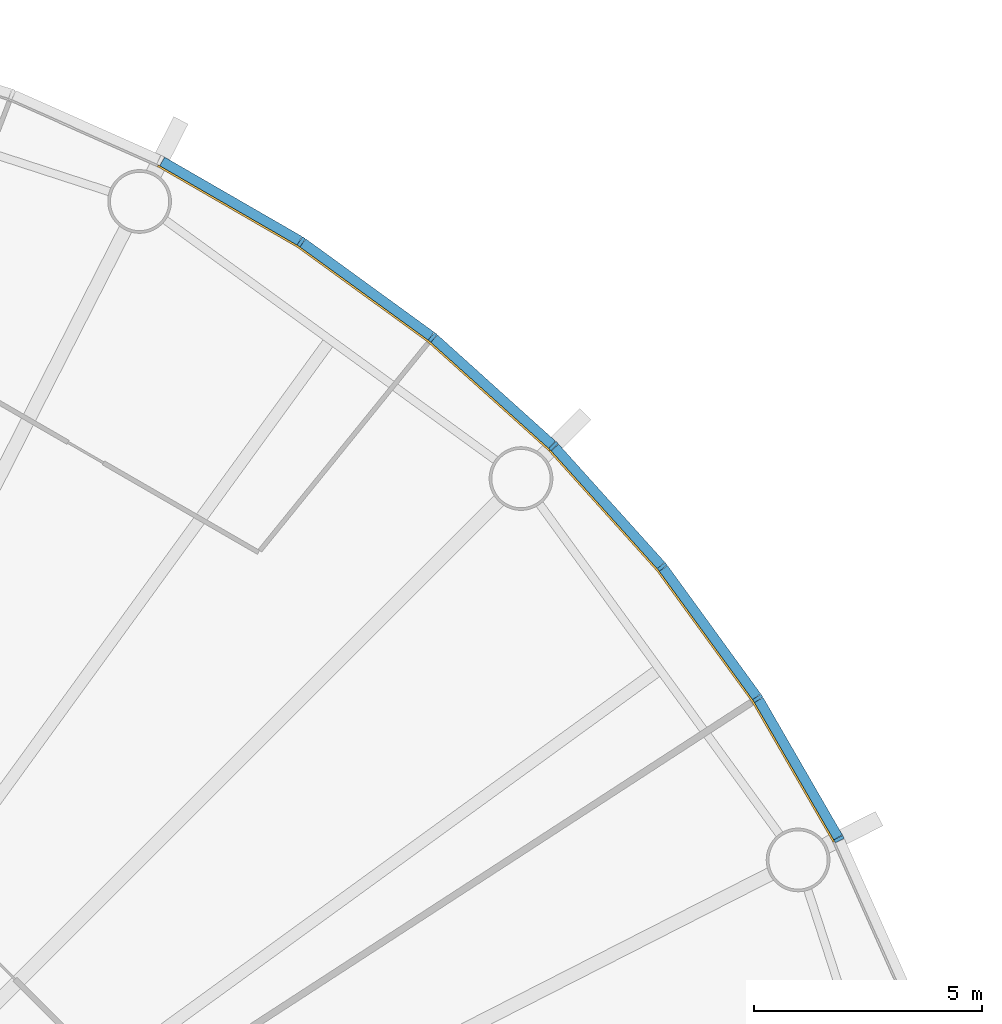
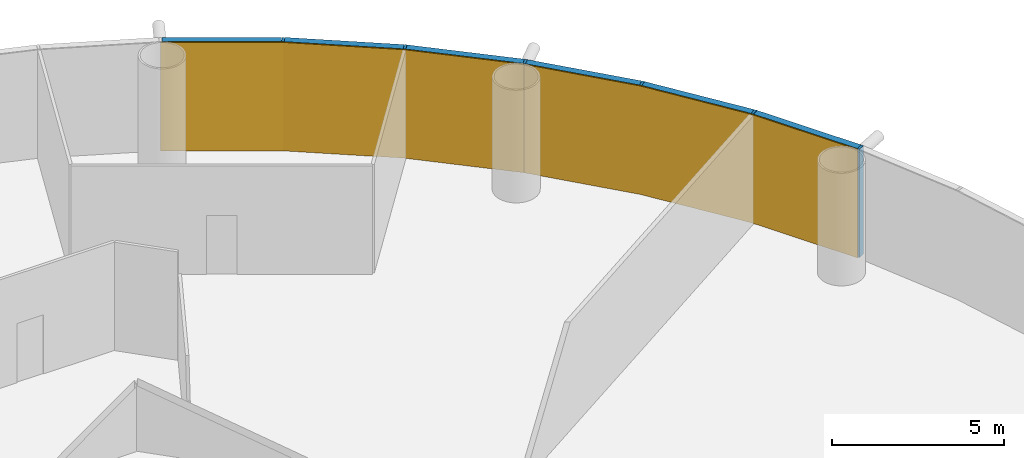
# One storey, part 10 of 13: 12 members, 2 curtain walls.
"""IFC4 building model written with IfcOpenShell, lengths in metres."""

from ifc_helpers import new_model, si_unit, direction, frame, origin, origin_2d, place, context, subcontext, project, spatial, polyline, rectangle, outline, extrude, material, layer, layer_set, material_profile, profile_set, type_object, element, aggregate, save


model = new_model("IFC4")

# Units and contexts
model_context = context("Model", 3, precision=1e-05, world=origin(), true_north=direction((0.0, 1.0)))
body_context = subcontext(model_context, "Body", "Model", "MODEL_VIEW")
ifc_project = project(units=[si_unit("LENGTHUNIT", "METRE"), si_unit("AREAUNIT", "SQUARE_METRE"), si_unit("VOLUMEUNIT", "CUBIC_METRE"), si_unit("PLANEANGLEUNIT", "RADIAN"), si_unit("MASSUNIT", "GRAM", prefix="KILO")], contexts=[model_context])

# Member
ifc_material_1 = material(Name="Anodised aluminium", Category="aluminium")
ifc_material_profile_1 = material_profile(ifc_material_1, rectangle(XDim=0.074951171875, YDim=0.219970703125, at=origin_2d()), Name="Mullion 75 x 220 mm anodised aluminium")
ifc_profile_set_1 = profile_set([ifc_material_profile_1], Name="Anodised aluminium")
member_type_1 = type_object("IfcMemberType", Name="Mullion 75 x 220 mm anodised aluminium", PredefinedType="MULLION", material=ifc_profile_set_1)
site_placement = place(None, origin())
building_placement = place(site_placement, origin())
storey_placement = place(building_placement, frame((0.0, 0.0, 34.0)))
member_1_placement = place(storey_placement, frame((120.392333984375, 95.485595703125, 0.0), z_axis=(0.0, 0.0, 1.0), x_axis=(-0.45399049974, 0.891006524188, 0.0)))
member_1 = element("IfcMember", 1, at=member_1_placement, type_object=member_type_1, Name="MULLION L06-03", PredefinedType="MULLION", context=body_context, shape_type="SweptSolid", body=[
    extrude(rectangle(XDim=0.074951171875, YDim=0.219970703125, at=origin_2d()), origin(), (0.0, 0.0, 1.0), 3.85009765625),
])

member_2_placement = place(storey_placement, frame((118.60693359375, 98.57763671875, 0.0), z_axis=(0.0, 0.0, 1.0), x_axis=(-0.544639035015, 0.838670567945, 0.0)))
member_2 = element("IfcMember", 2, at=member_2_placement, type_object=member_type_1, Name="MULLION L06-04", PredefinedType="MULLION", context=body_context, shape_type="SweptSolid", body=[
    extrude(rectangle(XDim=0.074951171875, YDim=0.219970703125, at=origin_2d()), origin(), (0.0, 0.0, 1.0), 3.85009765625),
])

member_3_placement = place(storey_placement, frame((116.508544921875, 101.466064453125, 0.0), z_axis=(0.0, 0.0, 1.0), x_axis=(-0.62932039105, 0.777145961457, 0.0)))
member_3 = element("IfcMember", 3, at=member_3_placement, type_object=member_type_1, Name="MULLION L06-05", PredefinedType="MULLION", context=body_context, shape_type="SweptSolid", body=[
    extrude(rectangle(XDim=0.074951171875, YDim=0.219970703125, at=origin_2d()), origin(), (0.0, 0.0, 1.0), 3.85009765625),
])

member_4_placement = place(storey_placement, frame((114.119384765625, 104.119384765625, 0.0), z_axis=(0.0, 0.0, 1.0), x_axis=(-0.707106781187, 0.707106781187, 0.0)))
member_4 = element("IfcMember", 4, at=member_4_placement, type_object=member_type_1, Name="MULLION L06-06", PredefinedType="MULLION", context=body_context, shape_type="SweptSolid", body=[
    extrude(rectangle(XDim=0.074951171875, YDim=0.219970703125, at=origin_2d()), origin(), (0.0, 0.0, 1.0), 3.85009765625),
])

member_5_placement = place(storey_placement, frame((111.466064453125, 106.508544921875, 0.0), z_axis=(0.0, 0.0, 1.0), x_axis=(-0.777145961457, 0.62932039105, 0.0)))
member_5 = element("IfcMember", 5, at=member_5_placement, type_object=member_type_1, Name="MULLION L06-07", PredefinedType="MULLION", context=body_context, shape_type="SweptSolid", body=[
    extrude(rectangle(XDim=0.074951171875, YDim=0.219970703125, at=origin_2d()), origin(), (0.0, 0.0, 1.0), 3.85009765625),
])

member_6_placement = place(storey_placement, frame((108.57763671875, 108.60693359375, 0.0), z_axis=(0.0, 0.0, 1.0), x_axis=(-0.838670567945, 0.544639035015, 0.0)))
member_6 = element("IfcMember", 6, at=member_6_placement, type_object=member_type_1, Name="MULLION L06-08", PredefinedType="MULLION", context=body_context, shape_type="SweptSolid", body=[
    extrude(rectangle(XDim=0.074951171875, YDim=0.219970703125, at=origin_2d()), origin(), (0.0, 0.0, 1.0), 3.85009765625),
])

ifc_material_2 = material(Name="Anodised aluminium", Category="aluminium")
ifc_material_profile_2 = material_profile(ifc_material_2, rectangle(XDim=0.219970703125, YDim=0.199951171875, at=origin_2d()), Name="Transom 200 x 220 mm anodised aluminium")
ifc_profile_set_2 = profile_set([ifc_material_profile_2], Name="Anodised aluminium")
member_type_2 = type_object("IfcMemberType", Name="Transom 200 x 220 mm anodised aluminium", PredefinedType="USERDEFINED", material=ifc_profile_set_2)
member_7_placement = place(storey_placement, frame((120.370849609375, 95.523193359375, 3.75), z_axis=(-0.500005538244, 0.866022206254, 0.0), x_axis=(-0.866022206254, -0.500005538244, 0.0)))
member_7 = element("IfcMember", 7, at=member_7_placement, type_object=member_type_2, Name="TRANSOM L06-03", ObjectType="TRANSOM", PredefinedType="USERDEFINED", context=body_context, shape_type="SweptSolid", body=[
    extrude(rectangle(XDim=0.219970703125, YDim=0.199951171875, at=origin_2d()), origin(), (0.0, 0.0, 1.0), 3.48388671875),
])

member_8_placement = place(storey_placement, frame((118.581787109375, 98.61279296875, 3.75), z_axis=(-0.587821627006, 0.80899056535, 0.0), x_axis=(-0.80899056535, -0.587821627006, 0.0)))
member_8 = element("IfcMember", 8, at=member_8_placement, type_object=member_type_2, Name="TRANSOM L06-04", ObjectType="TRANSOM", PredefinedType="USERDEFINED", context=body_context, shape_type="SweptSolid", body=[
    extrude(rectangle(XDim=0.219970703125, YDim=0.199951171875, at=origin_2d()), origin(), (0.0, 0.0, 1.0), 3.48388671875),
])

member_9_placement = place(storey_placement, frame((116.479736328125, 101.498291015625, 3.75), z_axis=(-0.669138930974, 0.743137329876, 0.0), x_axis=(-0.743137329876, -0.669138930974, 0.0)))
member_9 = element("IfcMember", 9, at=member_9_placement, type_object=member_type_2, Name="TRANSOM L06-05", ObjectType="TRANSOM", PredefinedType="USERDEFINED", context=body_context, shape_type="SweptSolid", body=[
    extrude(rectangle(XDim=0.219970703125, YDim=0.199951171875, at=origin_2d()), origin(), (0.0, 0.0, 1.0), 3.484130859375),
])

member_10_placement = place(storey_placement, frame((114.08740234375, 104.1484375, 3.75), z_axis=(-0.743137329876, 0.669138930974, 0.0), x_axis=(-0.669138930974, -0.743137329876, 0.0)))
member_10 = element("IfcMember", 10, at=member_10_placement, type_object=member_type_2, Name="TRANSOM L06-06", ObjectType="TRANSOM", PredefinedType="USERDEFINED", context=body_context, shape_type="SweptSolid", body=[
    extrude(rectangle(XDim=0.219970703125, YDim=0.199951171875, at=origin_2d()), origin(), (0.0, 0.0, 1.0), 3.484130859375),
])

member_11_placement = place(storey_placement, frame((111.43115234375, 106.533935546875, 3.75), z_axis=(-0.80899056535, 0.587821627006, 0.0), x_axis=(-0.587821627006, -0.80899056535, 0.0)))
member_11 = element("IfcMember", 11, at=member_11_placement, type_object=member_type_2, Name="TRANSOM L06-07", ObjectType="TRANSOM", PredefinedType="USERDEFINED", context=body_context, shape_type="SweptSolid", body=[
    extrude(rectangle(XDim=0.219970703125, YDim=0.199951171875, at=origin_2d()), origin(), (0.0, 0.0, 1.0), 3.48388671875),
])

member_12_placement = place(storey_placement, frame((108.540283203125, 108.62890625, 3.75), z_axis=(-0.866022206254, 0.500005538244, 0.0), x_axis=(-0.500005538244, -0.866022206254, 0.0)))
member_12 = element("IfcMember", 12, at=member_12_placement, type_object=member_type_2, Name="TRANSOM L06-08", ObjectType="TRANSOM", PredefinedType="USERDEFINED", context=body_context, shape_type="SweptSolid", body=[
    extrude(rectangle(XDim=0.219970703125, YDim=0.199951171875, at=origin_2d()), origin(), (0.0, 0.0, 1.0), 3.48388671875),
])

# Site, building, storey
site = spatial("IfcSite", under=ifc_project, at=site_placement, CompositionType="ELEMENT")
building = spatial("IfcBuilding", under=site, at=building_placement, Name="Entoto Ring Tower", CompositionType="ELEMENT")
storey = spatial("IfcBuildingStorey", under=building, at=storey_placement, Name="L06", CompositionType="ELEMENT", Elevation=34.0)

# Curtain wall
ifc_material_3 = material(Name="Clear low-iron glass", Category="glass")
ifc_layer = layer(ifc_material_3, 0.0400390625)
ifc_layer_set = layer_set([ifc_layer], Name="Clear low-iron glass")
curtain_wall_type = type_object("IfcCurtainWallType", Name="Curtain wall system CW1 glazing 40 mm", PredefinedType="NOTDEFINED", material=ifc_layer_set)
curtain_wall_1_placement = place(storey_placement, origin())
curtain_wall_1 = element("IfcCurtainWall", 13, at=curtain_wall_1_placement, inside=storey, type_object=curtain_wall_type, Name="CW1 L06-02", PredefinedType="NOTDEFINED", context=body_context, shape_type="SweptSolid", body=[
    extrude(outline(polyline([(120.294189453125, 95.435791015625), (118.514892578125, 98.517822265625), (116.4228515625, 101.39697265625), (114.041748046875, 104.041748046875), (114.013427734375, 104.013427734375), (116.391845703125, 101.37158203125), (118.481201171875, 98.495849609375), (120.258544921875, 95.41748046875), (120.294189453125, 95.435791015625)])), origin(), (0.0, 0.0, 1.0), 3.85009765625),
])

aggregate(curtain_wall_1, [member_1, member_2, member_3, member_7, member_8, member_9])

curtain_wall_2_placement = place(storey_placement, origin())
curtain_wall_2 = element("IfcCurtainWall", 14, at=curtain_wall_2_placement, inside=storey, type_object=curtain_wall_type, Name="CW1 L06-03", PredefinedType="NOTDEFINED", context=body_context, shape_type="SweptSolid", body=[
    extrude(outline(polyline([(114.041748046875, 104.041748046875), (111.39697265625, 106.4228515625), (108.517822265625, 108.514892578125), (105.435791015625, 110.294189453125), (105.41748046875, 110.258544921875), (108.495849609375, 108.481201171875), (111.37158203125, 106.391845703125), (114.013427734375, 104.013427734375), (114.041748046875, 104.041748046875)])), origin(), (0.0, 0.0, 1.0), 3.85009765625),
])

aggregate(curtain_wall_2, [member_4, member_5, member_6, member_10, member_11, member_12])

save(model, "model.ifc")
